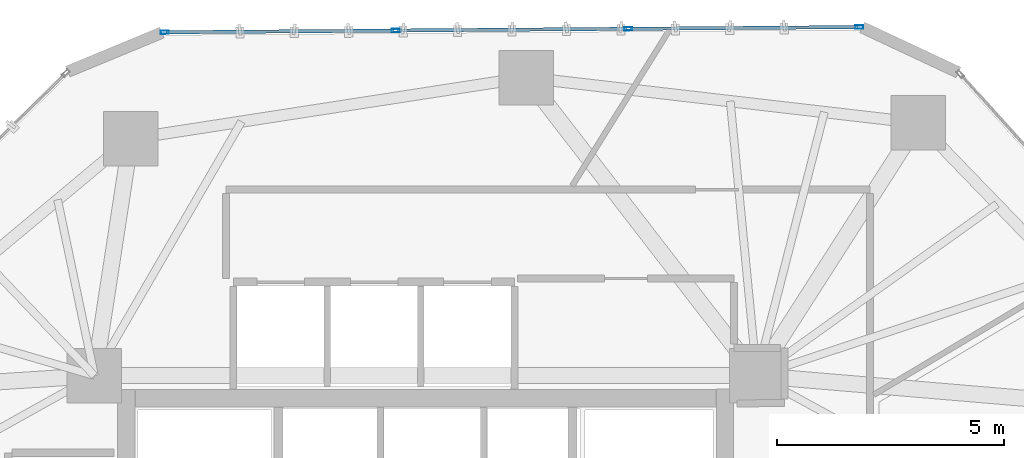
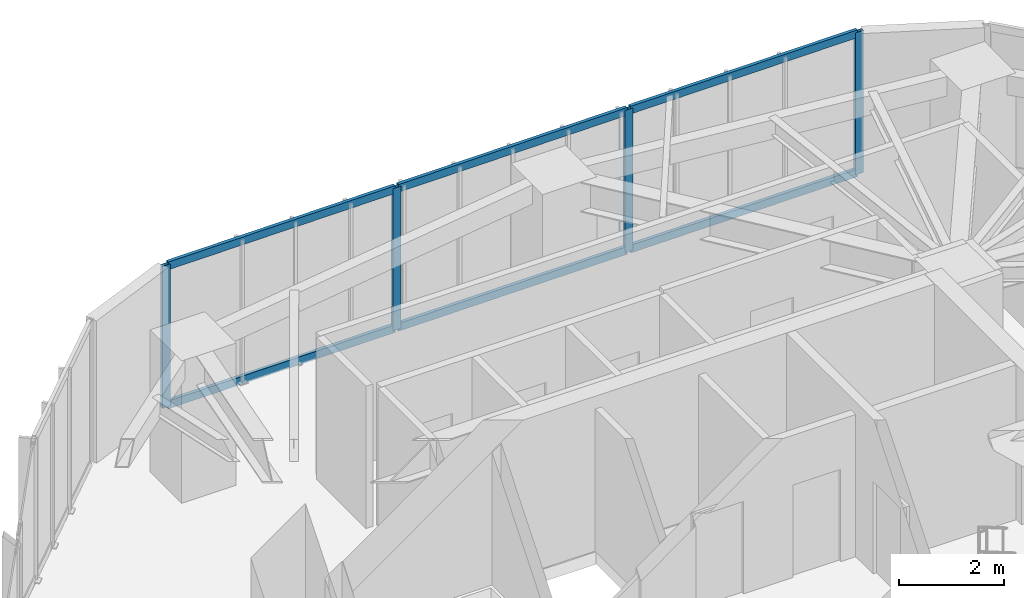
# One storey, part 16 of 21: 10 members, 1 element without a shape of its own.
"""IFC4 building model written with IfcOpenShell, lengths in metres."""

from ifc_helpers import new_model, si_unit, direction, frame, origin, origin_2d, place, context, subcontext, project, spatial, hollow_rectangle, extrude, source, transform, mapped, material, layer, layer_set, material_profile, profile_set, type_object, type_shapes, element, aggregate, save


model = new_model("IFC4")

# Units and contexts
model_context = context("Model", 3, precision=1e-05, world=origin(), true_north=direction((0.0, 1.0)))
body_context = subcontext(model_context, "Body", "Model", "MODEL_VIEW")
ifc_project = project(units=[si_unit("LENGTHUNIT", "METRE"), si_unit("AREAUNIT", "SQUARE_METRE"), si_unit("VOLUMEUNIT", "CUBIC_METRE"), si_unit("PLANEANGLEUNIT", "RADIAN"), si_unit("MASSUNIT", "GRAM", prefix="KILO")], contexts=[model_context])

# Site, building, storey
site_placement = place(None, origin())
site = spatial("IfcSite", under=ifc_project, at=site_placement, CompositionType="ELEMENT")
building_placement = place(site_placement, origin())
building = spatial("IfcBuilding", under=site, at=building_placement, Name="Talar Marvaseh", CompositionType="ELEMENT")
storey_placement = place(building_placement, frame((0.0, 0.0, 93.0)))
storey = spatial("IfcBuildingStorey", under=building, at=storey_placement, Name="L23", CompositionType="ELEMENT", Elevation=93.0)

# Curtain wall, members
ifc_material = material(Name="Architectural Aluminium", Category="aluminium")
ifc_layer = layer(ifc_material, 0.199951171875)
ifc_layer_set = layer_set([ifc_layer], Name="Architectural Aluminium")
curtain_wall_type = type_object("IfcCurtainWallType", Name="Unitised Acoustic Library Curtain Wall Z2", PredefinedType="NOTDEFINED", material=ifc_layer_set)
curtain_wall_placement = place(storey_placement, origin())
curtain_wall = element("IfcCurtainWall", 1, at=curtain_wall_placement, inside=storey, type_object=curtain_wall_type, Name="L23 Unitised Acoustic Library Curtain Wall Z2", PredefinedType="NOTDEFINED")
ifc_material_profile_1 = material_profile(ifc_material, hollow_rectangle(XDim=0.074951171875, YDim=0.179931640625, WallThickness=0.0048828125, at=origin_2d()), Name="RHS180x75x5")
ifc_profile_set_1 = profile_set([ifc_material_profile_1], Name="Architectural Aluminium")
member_type_1 = type_object("IfcMemberType", Name="Unitised Curtain Wall Standard Mullion RHS180x75x5", PredefinedType="MULLION", material=ifc_profile_set_1)
shared_shape_1 = source(origin(), body_context, "Body", "SweptSolid", [
    extrude(hollow_rectangle(XDim=0.074951171875, YDim=0.179931640625, WallThickness=0.0048828125, at=origin_2d()), origin(), (0.0, 0.0, 1.0), 3.31005859375),
])
type_shapes(member_type_1, [shared_shape_1])
member_1_placement = place(storey_placement, frame((20.248046875, 44.46923828125, 0.0), z_axis=(0.0, 0.0, 1.0), x_axis=(-0.007543792038, 0.999971545196, 0.0)))
member_1 = element("IfcMember", 2, at=member_1_placement, type_object=member_type_1, Name="CW-Z2 mullion 1", PredefinedType="MULLION", context=body_context, shape_type="MappedRepresentation", body=[
    mapped(shared_shape_1, transform((0.0, 0.0, 0.0), x_axis=(1.0, 0.0, 0.0), y_axis=(0.0, 1.0, 0.0), z_axis=(0.0, 0.0, 1.0), scale=1.0)),
])
member_2_placement = place(storey_placement, frame((25.340576171875, 44.5078125, 0.0), z_axis=(0.0, 0.0, 1.0), x_axis=(-0.007543792038, 0.999971545196, 0.0)))
member_2 = element("IfcMember", 3, at=member_2_placement, type_object=member_type_1, Name="CW-Z2 mullion 2", PredefinedType="MULLION", context=body_context, shape_type="MappedRepresentation", body=[
    mapped(shared_shape_1, transform((0.0, 0.0, 0.0), x_axis=(1.0, 0.0, 0.0), y_axis=(0.0, 1.0, 0.0), z_axis=(0.0, 0.0, 1.0), scale=1.0)),
])
member_3_placement = place(storey_placement, frame((30.470458984375, 44.54638671875, 0.0), z_axis=(0.0, 0.0, 1.0), x_axis=(-0.007543792038, 0.999971545196, 0.0)))
member_3 = element("IfcMember", 4, at=member_3_placement, type_object=member_type_1, Name="CW-Z2 mullion 3", PredefinedType="MULLION", context=body_context, shape_type="MappedRepresentation", body=[
    mapped(shared_shape_1, transform((0.0, 0.0, 0.0), x_axis=(1.0, 0.0, 0.0), y_axis=(0.0, 1.0, 0.0), z_axis=(0.0, 0.0, 1.0), scale=1.0)),
])
member_4_placement = place(storey_placement, frame((35.562744140625, 44.584716796875, 0.0), z_axis=(0.0, 0.0, 1.0), x_axis=(-0.007543792038, 0.999971545196, 0.0)))
member_4 = element("IfcMember", 5, at=member_4_placement, type_object=member_type_1, Name="CW-Z2 mullion 4", PredefinedType="MULLION", context=body_context, shape_type="MappedRepresentation", body=[
    mapped(shared_shape_1, transform((0.0, 0.0, 0.0), x_axis=(1.0, 0.0, 0.0), y_axis=(0.0, 1.0, 0.0), z_axis=(0.0, 0.0, 1.0), scale=1.0)),
])
ifc_material_profile_2 = material_profile(ifc_material, hollow_rectangle(XDim=0.074951171875, YDim=0.179931640625, WallThickness=0.0048828125, at=origin_2d()), Name="RHS180x75x5")
ifc_profile_set_2 = profile_set([ifc_material_profile_2], Name="Architectural Aluminium")
member_type_2 = type_object("IfcMemberType", Name="Unitised Curtain Wall Transom RHS180x75x5", PredefinedType="USERDEFINED", material=ifc_profile_set_2)
shared_shape_2 = source(origin(), body_context, "Body", "SweptSolid", [
    extrude(hollow_rectangle(XDim=0.074951171875, YDim=0.179931640625, WallThickness=0.0048828125, at=origin_2d()), origin(), (0.0, 0.0, 1.0), 5.017578125),
])
member_5_placement = place(storey_placement, frame((20.28564453125, 44.469482421875, 0.03759765625), z_axis=(0.999971558732, 0.007541997548, 0.0), x_axis=(-0.007541997548, 0.999971558732, 0.0)))
member_5 = element("IfcMember", 6, at=member_5_placement, type_object=member_type_2, Name="CW-Z2 transom 1.1", ObjectType="TRANSOM", PredefinedType="USERDEFINED", context=body_context, shape_type="MappedRepresentation", body=[
    mapped(shared_shape_2, transform((0.0, 0.0, 0.0), x_axis=(1.0, 0.0, 0.0), y_axis=(0.0, 1.0, 0.0), z_axis=(0.0, 0.0, 1.0), scale=1.0)),
])
member_6_placement = place(storey_placement, frame((20.28564453125, 44.469482421875, 3.2724609375), z_axis=(0.999971558732, 0.007541997548, 0.0), x_axis=(-0.007541997548, 0.999971558732, 0.0)))
member_6 = element("IfcMember", 7, at=member_6_placement, type_object=member_type_2, Name="CW-Z2 transom 1.2", ObjectType="TRANSOM", PredefinedType="USERDEFINED", context=body_context, shape_type="MappedRepresentation", body=[
    mapped(shared_shape_2, transform((0.0, 0.0, 0.0), x_axis=(1.0, 0.0, 0.0), y_axis=(0.0, 1.0, 0.0), z_axis=(0.0, 0.0, 1.0), scale=1.0)),
])
shared_shape_3 = source(origin(), body_context, "Body", "SweptSolid", [
    extrude(hollow_rectangle(XDim=0.074951171875, YDim=0.179931640625, WallThickness=0.0048828125, at=origin_2d()), origin(), (0.0, 0.0, 1.0), 5.05517578125),
])
member_7_placement = place(storey_placement, frame((25.3779296875, 44.508056640625, 0.03759765625), z_axis=(0.999971617526, 0.007534198133, 0.0), x_axis=(-0.007534198133, 0.999971617526, 0.0)))
member_7 = element("IfcMember", 8, at=member_7_placement, type_object=member_type_2, Name="CW-Z2 transom 2.1", ObjectType="TRANSOM", PredefinedType="USERDEFINED", context=body_context, shape_type="MappedRepresentation", body=[
    mapped(shared_shape_3, transform((0.0, 0.0, 0.0), x_axis=(1.0, 0.0, 0.0), y_axis=(0.0, 1.0, 0.0), z_axis=(0.0, 0.0, 1.0), scale=1.0)),
])
member_8_placement = place(storey_placement, frame((25.3779296875, 44.508056640625, 3.2724609375), z_axis=(0.999971617526, 0.007534198133, 0.0), x_axis=(-0.007534198133, 0.999971617526, 0.0)))
member_8 = element("IfcMember", 9, at=member_8_placement, type_object=member_type_2, Name="CW-Z2 transom 2.2", ObjectType="TRANSOM", PredefinedType="USERDEFINED", context=body_context, shape_type="MappedRepresentation", body=[
    mapped(shared_shape_3, transform((0.0, 0.0, 0.0), x_axis=(1.0, 0.0, 0.0), y_axis=(0.0, 1.0, 0.0), z_axis=(0.0, 0.0, 1.0), scale=1.0)),
])
shared_shape_4 = source(origin(), body_context, "Body", "SweptSolid", [
    extrude(hollow_rectangle(XDim=0.074951171875, YDim=0.179931640625, WallThickness=0.0048828125, at=origin_2d()), origin(), (0.0, 0.0, 1.0), 5.017822265625),
])
type_shapes(member_type_2, [shared_shape_2, shared_shape_3, shared_shape_4])
member_9_placement = place(storey_placement, frame((30.5078125, 44.546630859375, 0.03759765625), z_axis=(0.9999715615, 0.007541630597, 0.0), x_axis=(-0.007541630597, 0.9999715615, 0.0)))
member_9 = element("IfcMember", 10, at=member_9_placement, type_object=member_type_2, Name="CW-Z2 transom 3.1", ObjectType="TRANSOM", PredefinedType="USERDEFINED", context=body_context, shape_type="MappedRepresentation", body=[
    mapped(shared_shape_4, transform((0.0, 0.0, 0.0), x_axis=(1.0, 0.0, 0.0), y_axis=(0.0, 1.0, 0.0), z_axis=(0.0, 0.0, 1.0), scale=1.0)),
])
member_10_placement = place(storey_placement, frame((30.5078125, 44.546630859375, 3.2724609375), z_axis=(0.9999715615, 0.007541630597, 0.0), x_axis=(-0.007541630597, 0.9999715615, 0.0)))
member_10 = element("IfcMember", 11, at=member_10_placement, type_object=member_type_2, Name="CW-Z2 transom 3.2", ObjectType="TRANSOM", PredefinedType="USERDEFINED", context=body_context, shape_type="MappedRepresentation", body=[
    mapped(shared_shape_4, transform((0.0, 0.0, 0.0), x_axis=(1.0, 0.0, 0.0), y_axis=(0.0, 1.0, 0.0), z_axis=(0.0, 0.0, 1.0), scale=1.0)),
])
aggregate(curtain_wall, [member_1, member_2, member_3, member_4, member_5, member_6, member_7, member_8, member_9, member_10])

save(model, "model.ifc")
